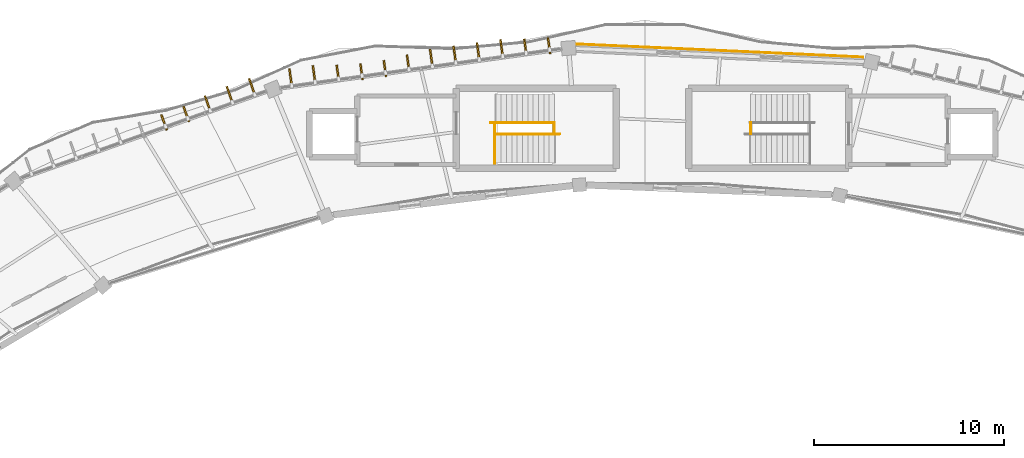
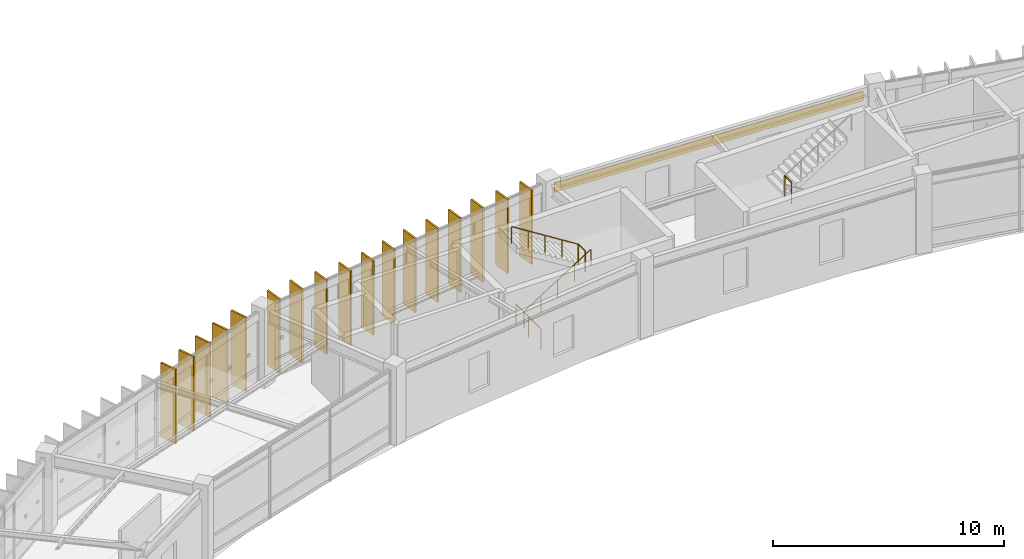
# One storey, part 147 of 152: 17 shading devices, 5 railings, 1 covering.
"""IFC4 building model written with IfcOpenShell, lengths in metres."""

from ifc_helpers import new_model, si_unit, direction, frame, origin, origin_2d, place, context, subcontext, project, spatial, polyline, rectangle, circle, outline, extrude, material, layer, layer_set, type_object, element, save


model = new_model("IFC4")

# Units and contexts
model_context = context("Model", 3, precision=1e-05, world=origin(), true_north=direction((0.0, 1.0)))
body_context = subcontext(model_context, "Body", "Model", "MODEL_VIEW")
ifc_project = project(units=[si_unit("LENGTHUNIT", "METRE"), si_unit("AREAUNIT", "SQUARE_METRE"), si_unit("VOLUMEUNIT", "CUBIC_METRE"), si_unit("PLANEANGLEUNIT", "RADIAN"), si_unit("MASSUNIT", "GRAM", prefix="KILO"), si_unit("THERMODYNAMICTEMPERATUREUNIT", "KELVIN"), si_unit("POWERUNIT", "WATT")], contexts=[model_context])

# Site, building, storey
site_placement = place(None, origin())
site = spatial("IfcSite", under=ifc_project, at=site_placement, CompositionType="ELEMENT")
building_placement = place(site_placement, origin())
building = spatial("IfcBuilding", under=site, at=building_placement, Name="Darbajah Civic Hall", CompositionType="ELEMENT")
storey_placement = place(building_placement, frame((0.0, 0.0, 5.39990234375)))
storey = spatial("IfcBuildingStorey", under=building, at=storey_placement, Name="L01", CompositionType="ELEMENT", Elevation=5.39990234375)

# Railings
ifc_material_1 = material(Name="Brushed Bronze Stainless Steel", Category="steel")
railing_type_1 = type_object("IfcRailingType", Name="Brushed Bronze Handrail", PredefinedType="HANDRAIL", material=ifc_material_1)
railing_1_placement = place(storey_placement, frame((81.280029296875, 114.699951171875, 0.175048828125)))
element("IfcRailing", 1, at=railing_1_placement, inside=storey, type_object=railing_type_1, Name="ST01 L01 lower flight handrail", PredefinedType="HANDRAIL", context=body_context, shape_type="SweptSolid", body=[
    extrude(circle(Radius=0.02392578125, at=origin_2d()), frame((0.023193359375, 0.0, 0.910400390625), z_axis=(0.845926808262, 0.0, 0.533299010935), x_axis=(0.0, 1.0, 0.0)), (0.0, 0.0, 1.0), 3.917236328125),
    extrude(circle(Radius=0.02099609375, at=origin_2d()), origin(), (0.0, 0.0, 1.0), 0.867919921875),
    extrude(circle(Radius=0.02099609375, at=origin_2d()), frame((0.83984375, 0.0, 0.529541015625)), (0.0, 0.0, 1.0), 0.867919921875),
    extrude(circle(Radius=0.02099609375, at=origin_2d()), frame((1.679931640625, 0.0, 1.05908203125)), (0.0, 0.0, 1.0), 0.867919921875),
    extrude(circle(Radius=0.02099609375, at=origin_2d()), frame((2.52001953125, 0.0, 1.588623046875)), (0.0, 0.0, 1.0), 0.867919921875),
    extrude(circle(Radius=0.02099609375, at=origin_2d()), frame((3.35986328125, 0.0, 2.1181640625)), (0.0, 0.0, 1.0), 0.867919921875),
])
railing_2_placement = place(storey_placement, frame((84.360107421875, 115.300048828125, 2.275146484375)))
element("IfcRailing", 2, at=railing_2_placement, inside=storey, type_object=railing_type_1, Name="ST01 L01 upper flight handrail", PredefinedType="HANDRAIL", context=body_context, shape_type="SweptSolid", body=[
    extrude(circle(Radius=0.02392578125, at=origin_2d()), frame((-0.023193359375, 0.0, 0.910400390625), z_axis=(-0.845944288966, 0.0, 0.533271281775), x_axis=(0.0, -1.0, 0.0)), (0.0, 0.0, 1.0), 3.91748046875),
    extrude(circle(Radius=0.02099609375, at=origin_2d()), origin(), (0.0, 0.0, 1.0), 0.867919921875),
    extrude(circle(Radius=0.02099609375, at=origin_2d()), frame((-0.840087890625, 0.0, 0.529541015625)), (0.0, 0.0, 1.0), 0.867919921875),
    extrude(circle(Radius=0.02099609375, at=origin_2d()), frame((-1.68017578125, 0.0, 1.05908203125)), (0.0, 0.0, 1.0), 0.867919921875),
    extrude(circle(Radius=0.02099609375, at=origin_2d()), frame((-2.52001953125, 0.0, 1.588623046875)), (0.0, 0.0, 1.0), 0.867919921875),
    extrude(circle(Radius=0.02099609375, at=origin_2d()), frame((-3.360107421875, 0.0, 2.1181640625)), (0.0, 0.0, 1.0), 0.867919921875),
])
ifc_material_2 = material(Name="Brushed Bronze and Laminated Safety Glass", Category="glass")
railing_type_2 = type_object("IfcRailingType", Name="Interior Guard Balustrade", PredefinedType="BALUSTRADE", material=ifc_material_2)
railing_3_placement = place(storey_placement, frame((81.22998046875, 113.14990234375, 0.0)))
element("IfcRailing", 3, at=railing_3_placement, inside=storey, type_object=railing_type_2, Name="ST01 L01 stair-well edge guard", PredefinedType="BALUSTRADE", context=body_context, shape_type="SweptSolid", body=[
    extrude(circle(Radius=0.02392578125, at=origin_2d()), frame((0.0, 0.02734375, 1.09619140625), z_axis=(0.0, 1.0, 0.0), x_axis=(-1.0, 0.0, 0.0)), (0.0, 0.0, 1.0), 2.095458984375),
    extrude(circle(Radius=0.02099609375, at=origin_2d()), origin(), (0.0, 0.0, 1.0), 1.068115234375),
    extrude(circle(Radius=0.02099609375, at=origin_2d()), frame((0.0, 1.0751953125, 0.0)), (0.0, 0.0, 1.0), 1.068115234375),
    extrude(circle(Radius=0.02099609375, at=origin_2d()), frame((0.0, 2.150146484375, 0.0)), (0.0, 0.0, 1.0), 1.068115234375),
])
for number, where, name in (
    (4, (84.340087890625, 114.699951171875, 2.10009765625), "ST01 L01 landing well guard"),
    (5, (94.659912109375, 114.699951171875, 2.10009765625), "ST02 L01 landing well guard"),
):
    element("IfcRailing", number, at=place(storey_placement, frame(where)), inside=storey, type_object=railing_type_2, Name=name, PredefinedType="BALUSTRADE", context=body_context, shape_type="SweptSolid", body=[
        extrude(circle(Radius=0.02392578125, at=origin_2d()), frame((0.0, 0.02734375, 1.09619140625), z_axis=(0.0, 1.0, 0.0), x_axis=(-1.0, 0.0, 0.0)), (0.0, 0.0, 1.0), 0.54541015625),
        extrude(circle(Radius=0.02099609375, at=origin_2d()), origin(), (0.0, 0.0, 1.0), 1.068115234375),
        extrude(circle(Radius=0.02099609375, at=origin_2d()), frame((0.0, 0.60009765625, 0.0)), (0.0, 0.0, 1.0), 1.068115234375),
    ])

# Covering
ifc_material_3 = material(Name="Qatari Desert Limestone Ashlar", Category="masonry")
ifc_layer = layer(ifc_material_3, 0.044921875, Name="Qatari Desert Limestone Ashlar")
ifc_layer_set = layer_set([ifc_layer], Name="Qatari Desert Limestone Ashlar")
covering_type = type_object("IfcCoveringType", Name="Limestone Facade Cladding", PredefinedType="CLADDING", material=ifc_layer_set)
covering_placement = place(storey_placement, frame((0.0, 0.0, 3.02001953125)))
element("IfcCovering", 6, at=covering_placement, inside=storey, type_object=covering_type, Name="L01 stone frieze cladding EW-V1O-L01-04", PredefinedType="CLADDING", context=body_context, shape_type="SweptSolid", body=[
    extrude(outline(polyline([(100.57470703125, 118.71484375), (85.5283203125, 119.39990234375), (85.5302734375, 119.444580078125), (100.57666015625, 118.759765625), (100.57470703125, 118.71484375)])), origin(), (0.0, 0.0, 1.0), 0.5),
])

# Shading devices
ifc_material_4 = material(Name="Bronze Anodised Aluminium and Teak Composite", Category="aluminium")
shading_device_type = type_object("IfcShadingDeviceType", Name="Vertical Bronze Timber Shading Fin", PredefinedType="USERDEFINED", material=ifc_material_4)
for number, where, z_axis, x_axis, name in (
    (7, (84.073486328125, 119.334228515625, 0.000244140625), (0.0, 0.0, 1.0), (-0.137617420457, 0.990485459553, 0.0), "L01 vertical shading fin VF-05-1"),
    (8, (82.828369140625, 119.265625, 0.000244140625), (0.0, 0.0, 1.0), (-0.137617420457, 0.990485459553, 0.0), "L01 vertical shading fin VF-05-2"),
    (9, (81.57763671875, 119.239990234375, 0.000244140625), (0.0, 0.0, 1.0), (-0.137617420457, 0.990485459553, 0.0), "L01 vertical shading fin VF-05-3"),
    (10, (80.3466796875, 119.069091796875, 0.000244140625), (0.0, 0.0, 1.0), (-0.137617420457, 0.990485459553, 0.0), "L01 vertical shading fin VF-05-4"),
    (11, (79.1162109375, 118.898193359375, 0.000244140625), (0.0, 0.0, 1.0), (-0.137617420457, 0.990485459553, 0.0), "L01 vertical shading fin VF-05-5"),
    (12, (77.885498046875, 118.727294921875, 0.000244140625), (0.0, 0.0, 1.0), (-0.137617420457, 0.990485459553, 0.0), "L01 vertical shading fin VF-05-6"),
    (13, (76.671875, 118.432861328125, 0.000244140625), (0.0, 0.0, 1.0), (-0.137617420457, 0.990485459553, 0.0), "L01 vertical shading fin VF-05-7"),
    (14, (75.458251953125, 118.137939453125, 0.000244140625), (0.0, 0.0, 1.0), (-0.137617420457, 0.990485459553, 0.0), "L01 vertical shading fin VF-05-8"),
    (15, (74.2275390625, 117.967041015625, 0.000244140625), (0.0, 0.0, 1.0), (-0.137617420457, 0.990485459553, 0.0), "L01 vertical shading fin VF-05-9"),
    (16, (72.982421875, 117.89990234375, 0.000244140625), (0.0, 0.0, 1.0), (-0.137617420457, 0.990485459553, 0.0), "L01 vertical shading fin VF-05-10"),
    (17, (71.731689453125, 117.872802734375, 0.000244140625), (0.0, 0.0, 1.0), (-0.137617420457, 0.990485459553, 0.0), "L01 vertical shading fin VF-05-11"),
    (18, (70.5009765625, 117.701904296875, 0.000244140625), (0.0, 0.0, 1.0), (-0.137617420457, 0.990485459553, 0.0), "L01 vertical shading fin VF-05-12"),
    (19, (68.469482421875, 117.2060546875, 0.000244140625), (0.0, 0.0, 1.0), (-0.334135882844, 0.94252491309, 0.0), "L01 vertical shading fin VF-06-1"),
    (20, (67.29736328125, 116.79052734375, 0.000244140625), (0.0, 0.0, 1.0), (-0.334135882844, 0.94252491309, 0.0), "L01 vertical shading fin VF-06-2"),
    (21, (66.152587890625, 116.297607421875, 0.000244140625), (0.0, 0.0, 1.0), (-0.334135882844, 0.94252491309, 0.0), "L01 vertical shading fin VF-06-3"),
    (22, (65.027099609375, 115.7509765625, 0.000244140625), (0.0, 0.0, 1.0), (-0.334135882844, 0.94252491309, 0.0), "L01 vertical shading fin VF-06-4"),
    (23, (63.8642578125, 115.30859375, 0.000244140625), (0.0, 0.0, 1.0), (-0.334135882844, 0.94252491309, 0.0), "L01 vertical shading fin VF-06-5"),
):
    element("IfcShadingDevice", number, at=place(storey_placement, frame(where, z_axis=z_axis, x_axis=x_axis)), inside=storey, type_object=shading_device_type, Name=name, ObjectType="VERTICAL FIN", PredefinedType="USERDEFINED", context=body_context, shape_type="SweptSolid", body=[
        extrude(rectangle(XDim=0.85009765625, YDim=0.090087890625, at=origin_2d()), origin(), (0.0, 0.0, 1.0), 3.919921875),
    ])

save(model, "model.ifc")
